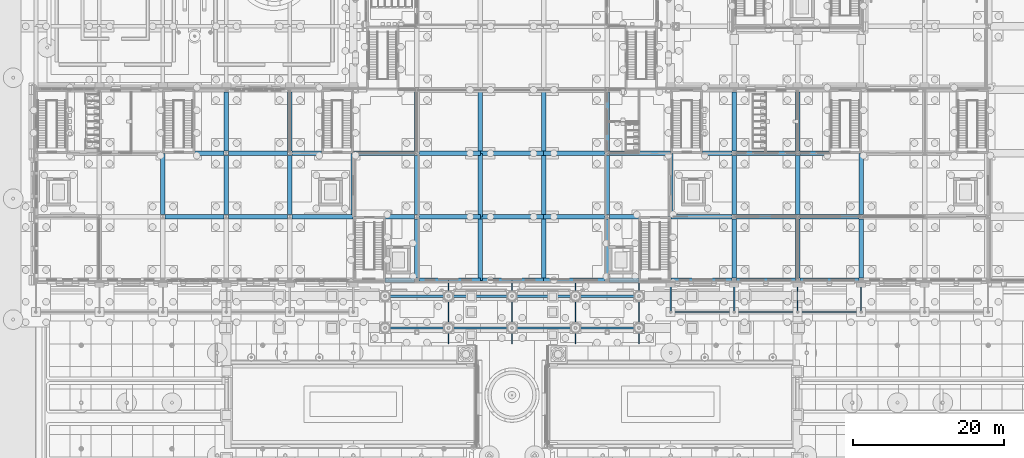
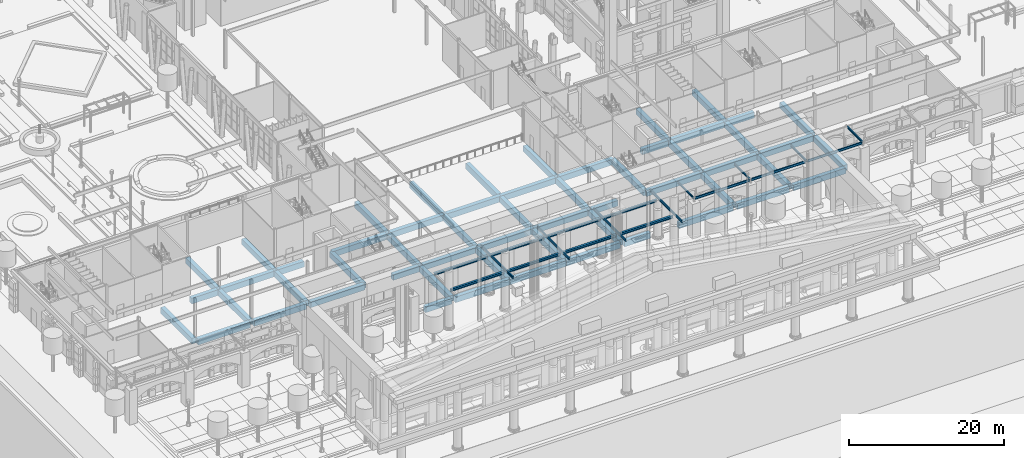
# One storey, part 41 of 222: 76 beams.
"""IFC4 building model written with IfcOpenShell, lengths in metres."""

from ifc_helpers import new_model, si_unit, direction, frame, origin, origin_2d, place, context, subcontext, project, spatial, rectangle, i_section, extrude, material, material_profile, profile_set, type_object, element, save


model = new_model("IFC4")

# Units and contexts
model_context = context("Model", 3, precision=1e-05, world=origin(), true_north=direction((0.0, 1.0)))
body_context = subcontext(model_context, "Body", "Model", "MODEL_VIEW")
ifc_project = project(units=[si_unit("LENGTHUNIT", "METRE"), si_unit("AREAUNIT", "SQUARE_METRE"), si_unit("VOLUMEUNIT", "CUBIC_METRE"), si_unit("PLANEANGLEUNIT", "RADIAN"), si_unit("MASSUNIT", "GRAM", prefix="KILO")], contexts=[model_context])

# Site, building, storey
site_placement = place(None, origin())
site = spatial("IfcSite", under=ifc_project, at=site_placement, CompositionType="ELEMENT")
building_placement = place(site_placement, origin())
building = spatial("IfcBuilding", under=site, at=building_placement, Name="Sava Quay Ferry Terminal", CompositionType="ELEMENT")
storey_placement = place(building_placement, origin())
storey = spatial("IfcBuildingStorey", under=building, at=storey_placement, Name="L00", CompositionType="ELEMENT", Elevation=0.0)

# Beams
ifc_material_1 = material(Name="Steel S355", Category="steel")
ifc_material_profile_1 = material_profile(ifc_material_1, i_section(OverallWidth=0.14990234375, OverallDepth=0.300048828125, WebThickness=0.007080078125, FlangeThickness=0.0107421875, at=origin_2d()), Name="IPE 300")
ifc_profile_set_1 = profile_set([ifc_material_profile_1], Name="Steel S355")
beam_type_1 = type_object("IfcBeamType", Name="Beam IPE 300", PredefinedType="BEAM", material=ifc_profile_set_1)
beam_1_placement = place(storey_placement, frame((84.0, 21.0, 5.85009765625), z_axis=(0.0, 1.0, 0.0), x_axis=(-1.0, 0.0, 0.0)))
element("IfcBeam", 1, at=beam_1_placement, inside=storey, type_object=beam_type_1, Name="Arcade roof beam", PredefinedType="BEAM", context=body_context, shape_type="SweptSolid", body=[
    extrude(i_section(OverallWidth=0.14990234375, OverallDepth=0.300048828125, WebThickness=0.007080078125, FlangeThickness=0.0107421875, at=origin_2d()), origin(), (0.0, 0.0, 1.0), 4.199951171875),
])
for number, where, z_axis, x_axis, name in (
    (2, (92.39990234375, 21.0, 5.85009765625), (0.0, 1.0, 0.0), (-1.0, 0.0, 0.0), "Arcade roof beam"),
    (3, (100.800048828125, 21.0, 5.85009765625), (0.0, 1.0, 0.0), (-1.0, 0.0, 0.0), "Arcade roof beam"),
    (4, (109.199951171875, 21.0, 5.85009765625), (0.0, 1.0, 0.0), (-1.0, 0.0, 0.0), "Arcade roof beam"),
):
    element("IfcBeam", number, at=place(storey_placement, frame(where, z_axis=z_axis, x_axis=x_axis)), inside=storey, type_object=beam_type_1, Name=name, PredefinedType="BEAM", context=body_context, shape_type="SweptSolid", body=[
        extrude(i_section(OverallWidth=0.14990234375, OverallDepth=0.300048828125, WebThickness=0.007080078125, FlangeThickness=0.0107421875, at=origin_2d()), origin(), (0.0, 0.0, 1.0), 4.050048828125),
    ])
ifc_material_2 = material(Name="Steel S355", Category="steel")
ifc_material_profile_2 = material_profile(ifc_material_2, i_section(OverallWidth=0.169921875, OverallDepth=0.360107421875, WebThickness=0.008056640625, FlangeThickness=0.0126953125, at=origin_2d()), Name="IPE 360")
ifc_profile_set_2 = profile_set([ifc_material_profile_2], Name="Steel S355")
beam_type_2 = type_object("IfcBeamType", Name="Beam IPE 360", PredefinedType="BEAM", material=ifc_profile_set_2)
for number, where, z_axis, x_axis, name in (
    (5, (54.60009765625, 16.800048828125, 6.179931640625), (0.0, 1.0, 0.0), (-1.0, 0.0, 0.0), "Canopy beam"),
    (6, (63.0, 16.800048828125, 6.179931640625), (0.0, 1.0, 0.0), (-1.0, 0.0, 0.0), "Canopy beam"),
    (7, (71.39990234375, 16.800048828125, 6.179931640625), (0.0, 1.0, 0.0), (-1.0, 0.0, 0.0), "Canopy beam"),
    (8, (79.800048828125, 16.800048828125, 6.179931640625), (0.0, 1.0, 0.0), (-1.0, 0.0, 0.0), "Canopy beam"),
):
    element("IfcBeam", number, at=place(storey_placement, frame(where, z_axis=z_axis, x_axis=x_axis)), inside=storey, type_object=beam_type_2, Name=name, PredefinedType="BEAM", context=body_context, shape_type="SweptSolid", body=[
        extrude(i_section(OverallWidth=0.169921875, OverallDepth=0.360107421875, WebThickness=0.008056640625, FlangeThickness=0.0126953125, at=origin_2d()), origin(), (0.0, 0.0, 1.0), 8.280029296875),
    ])
for number, where, z_axis, x_axis, name in (
    (9, (84.136474609375, 21.0, 5.820068359375), (1.0, 0.0, 0.0), (0.0, 1.0, 0.0), "Arcade edge beam"),
    (10, (92.53662109375, 21.0, 5.820068359375), (1.0, 0.0, 0.0), (0.0, 1.0, 0.0), "Arcade edge beam"),
    (11, (100.9365234375, 21.0, 5.820068359375), (1.0, 0.0, 0.0), (0.0, 1.0, 0.0), "Arcade edge beam"),
):
    element("IfcBeam", number, at=place(storey_placement, frame(where, z_axis=z_axis, x_axis=x_axis)), inside=storey, type_object=beam_type_2, Name=name, PredefinedType="BEAM", context=body_context, shape_type="SweptSolid", body=[
        extrude(i_section(OverallWidth=0.169921875, OverallDepth=0.360107421875, WebThickness=0.008056640625, FlangeThickness=0.0126953125, at=origin_2d()), origin(), (0.0, 0.0, 1.0), 8.126953125),
    ])
ifc_material_3 = material(Name="Steel S355", Category="steel")
ifc_material_profile_3 = material_profile(ifc_material_3, i_section(OverallWidth=0.300048828125, OverallDepth=0.389892578125, WebThickness=0.010986328125, FlangeThickness=0.01904296875, at=origin_2d()), Name="HE 400 A")
ifc_profile_set_3 = profile_set([ifc_material_profile_3], Name="Steel S355")
beam_type_3 = type_object("IfcBeamType", Name="Girder HE 400 A", PredefinedType="BEAM", material=ifc_profile_set_3)
for number, where, z_axis, x_axis, name in (
    (12, (46.3798828125, 18.89990234375, 5.804931640625), (1.0, 0.0, 0.0), (0.0, 1.0, 0.0), "Canopy girder"),
    (13, (54.780029296875, 18.89990234375, 5.804931640625), (1.0, 0.0, 0.0), (0.0, 1.0, 0.0), "Canopy girder"),
    (14, (63.179931640625, 18.89990234375, 5.804931640625), (1.0, 0.0, 0.0), (0.0, 1.0, 0.0), "Canopy girder"),
    (15, (71.580078125, 18.89990234375, 5.804931640625), (1.0, 0.0, 0.0), (0.0, 1.0, 0.0), "Canopy girder"),
    (16, (46.3798828125, 23.10009765625, 5.804931640625), (1.0, 0.0, 0.0), (0.0, 1.0, 0.0), "Canopy girder"),
    (17, (54.780029296875, 23.10009765625, 5.804931640625), (1.0, 0.0, 0.0), (0.0, 1.0, 0.0), "Canopy girder"),
    (18, (63.179931640625, 23.10009765625, 5.804931640625), (1.0, 0.0, 0.0), (0.0, 1.0, 0.0), "Canopy girder"),
    (19, (71.580078125, 23.10009765625, 5.804931640625), (1.0, 0.0, 0.0), (0.0, 1.0, 0.0), "Canopy girder"),
):
    element("IfcBeam", number, at=place(storey_placement, frame(where, z_axis=z_axis, x_axis=x_axis)), inside=storey, type_object=beam_type_3, Name=name, PredefinedType="BEAM", context=body_context, shape_type="SweptSolid", body=[
        extrude(i_section(OverallWidth=0.300048828125, OverallDepth=0.389892578125, WebThickness=0.010986328125, FlangeThickness=0.01904296875, at=origin_2d()), origin(), (0.0, 0.0, 1.0), 8.0400390625),
    ])
ifc_material_4 = material(Name="Concrete C40/50", Category="concrete")
ifc_material_profile_4 = material_profile(ifc_material_4, rectangle(XDim=0.60009765625, YDim=0.89990234375, at=origin_2d()), Name="RC 600x900")
ifc_profile_set_4 = profile_set([ifc_material_profile_4], Name="Concrete C40/50")
beam_type_4 = type_object("IfcBeamType", Name="RC deck beam 600x900", PredefinedType="BEAM", material=ifc_profile_set_4)
beam_2_placement = place(storey_placement, frame((46.219970703125, 25.199951171875, -0.89990234375), z_axis=(1.0, 0.0, 0.0), x_axis=(0.0, 1.0, 0.0)))
element("IfcBeam", 20, at=beam_2_placement, inside=storey, type_object=beam_type_4, Name="Deck beam X25.2-42", PredefinedType="BEAM", context=body_context, shape_type="SweptSolid", body=[
    extrude(rectangle(XDim=0.60009765625, YDim=0.89990234375, at=origin_2d()), origin(), (0.0, 0.0, 1.0), 3.880126953125),
])
beam_3_placement = place(storey_placement, frame((50.699951171875, 25.199951171875, -0.89990234375), z_axis=(1.0, 0.0, 0.0), x_axis=(0.0, 1.0, 0.0)))
element("IfcBeam", 21, at=beam_3_placement, inside=storey, type_object=beam_type_4, Name="Deck beam X25.2-50.4", PredefinedType="BEAM", context=body_context, shape_type="SweptSolid", body=[
    extrude(rectangle(XDim=0.60009765625, YDim=0.89990234375, at=origin_2d()), origin(), (0.0, 0.0, 1.0), 8.10009765625),
])
beam_4_placement = place(storey_placement, frame((58.800048828125, 25.199951171875, -0.89990234375), z_axis=(1.0, 0.0, 0.0), x_axis=(0.0, 1.0, 0.0)))
element("IfcBeam", 22, at=beam_4_placement, inside=storey, type_object=beam_type_4, Name="Deck beam X25.2-58.8", PredefinedType="BEAM", context=body_context, shape_type="SweptSolid", body=[
    extrude(rectangle(XDim=0.60009765625, YDim=0.89990234375, at=origin_2d()), origin(), (0.0, 0.0, 1.0), 8.39990234375),
])
beam_5_placement = place(storey_placement, frame((67.199951171875, 25.199951171875, -0.89990234375), z_axis=(1.0, 0.0, 0.0), x_axis=(0.0, 1.0, 0.0)))
element("IfcBeam", 23, at=beam_5_placement, inside=storey, type_object=beam_type_4, Name="Deck beam X25.2-67.2", PredefinedType="BEAM", context=body_context, shape_type="SweptSolid", body=[
    extrude(rectangle(XDim=0.60009765625, YDim=0.89990234375, at=origin_2d()), origin(), (0.0, 0.0, 1.0), 8.10009765625),
])
beam_6_placement = place(storey_placement, frame((75.89990234375, 25.199951171875, -0.89990234375), z_axis=(1.0, 0.0, 0.0), x_axis=(0.0, 1.0, 0.0)))
element("IfcBeam", 24, at=beam_6_placement, inside=storey, type_object=beam_type_4, Name="Deck beam X25.2-75.6", PredefinedType="BEAM", context=body_context, shape_type="SweptSolid", body=[
    extrude(rectangle(XDim=0.60009765625, YDim=0.89990234375, at=origin_2d()), origin(), (0.0, 0.0, 1.0), 3.880126953125),
])
beam_7_placement = place(storey_placement, frame((84.02001953125, 25.199951171875, -0.89990234375), z_axis=(1.0, 0.0, 0.0), x_axis=(0.0, 1.0, 0.0)))
element("IfcBeam", 25, at=beam_7_placement, inside=storey, type_object=beam_type_4, Name="Deck beam X25.2-84", PredefinedType="BEAM", context=body_context, shape_type="SweptSolid", body=[
    extrude(rectangle(XDim=0.60009765625, YDim=0.89990234375, at=origin_2d()), origin(), (0.0, 0.0, 1.0), 8.080078125),
])
beam_8_placement = place(storey_placement, frame((92.699951171875, 25.199951171875, -0.89990234375), z_axis=(1.0, 0.0, 0.0), x_axis=(0.0, 1.0, 0.0)))
element("IfcBeam", 26, at=beam_8_placement, inside=storey, type_object=beam_type_4, Name="Deck beam X25.2-92.4", PredefinedType="BEAM", context=body_context, shape_type="SweptSolid", body=[
    extrude(rectangle(XDim=0.60009765625, YDim=0.89990234375, at=origin_2d()), origin(), (0.0, 0.0, 1.0), 7.800048828125),
])
for number, where, z_axis, x_axis, name in (
    (27, (101.10009765625, 25.199951171875, -0.89990234375), (1.0, 0.0, 0.0), (0.0, 1.0, 0.0), "Deck beam X25.2-100.8"),
    (28, (17.10009765625, 33.60009765625, -0.89990234375), (1.0, 0.0, 0.0), (0.0, 1.0, 0.0), "Deck beam X33.6-16.8"),
):
    element("IfcBeam", number, at=place(storey_placement, frame(where, z_axis=z_axis, x_axis=x_axis)), inside=storey, type_object=beam_type_4, Name=name, PredefinedType="BEAM", context=body_context, shape_type="SweptSolid", body=[
        extrude(rectangle(XDim=0.60009765625, YDim=0.89990234375, at=origin_2d()), origin(), (0.0, 0.0, 1.0), 7.7998046875),
    ])
beam_9_placement = place(storey_placement, frame((25.5, 33.60009765625, -0.89990234375), z_axis=(1.0, 0.0, 0.0), x_axis=(0.0, 1.0, 0.0)))
element("IfcBeam", 29, at=beam_9_placement, inside=storey, type_object=beam_type_4, Name="Deck beam X33.6-25.2", PredefinedType="BEAM", context=body_context, shape_type="SweptSolid", body=[
    extrude(rectangle(XDim=0.60009765625, YDim=0.89990234375, at=origin_2d()), origin(), (0.0, 0.0, 1.0), 7.800048828125),
])
beam_10_placement = place(storey_placement, frame((33.89990234375, 33.60009765625, -0.89990234375), z_axis=(1.0, 0.0, 0.0), x_axis=(0.0, 1.0, 0.0)))
element("IfcBeam", 30, at=beam_10_placement, inside=storey, type_object=beam_type_4, Name="Deck beam X33.6-33.6", PredefinedType="BEAM", context=body_context, shape_type="SweptSolid", body=[
    extrude(rectangle(XDim=0.60009765625, YDim=0.89990234375, at=origin_2d()), origin(), (0.0, 0.0, 1.0), 8.080078125),
])
beam_11_placement = place(storey_placement, frame((46.219970703125, 33.60009765625, -0.89990234375), z_axis=(1.0, 0.0, 0.0), x_axis=(0.0, 1.0, 0.0)))
element("IfcBeam", 31, at=beam_11_placement, inside=storey, type_object=beam_type_4, Name="Deck beam X33.6-42", PredefinedType="BEAM", context=body_context, shape_type="SweptSolid", body=[
    extrude(rectangle(XDim=0.60009765625, YDim=0.89990234375, at=origin_2d()), origin(), (0.0, 0.0, 1.0), 3.880126953125),
])
beam_12_placement = place(storey_placement, frame((50.699951171875, 33.60009765625, -0.89990234375), z_axis=(1.0, 0.0, 0.0), x_axis=(0.0, 1.0, 0.0)))
element("IfcBeam", 32, at=beam_12_placement, inside=storey, type_object=beam_type_4, Name="Deck beam X33.6-50.4", PredefinedType="BEAM", context=body_context, shape_type="SweptSolid", body=[
    extrude(rectangle(XDim=0.60009765625, YDim=0.89990234375, at=origin_2d()), origin(), (0.0, 0.0, 1.0), 8.10009765625),
])
beam_13_placement = place(storey_placement, frame((58.800048828125, 33.60009765625, -0.89990234375), z_axis=(1.0, 0.0, 0.0), x_axis=(0.0, 1.0, 0.0)))
element("IfcBeam", 33, at=beam_13_placement, inside=storey, type_object=beam_type_4, Name="Deck beam X33.6-58.8", PredefinedType="BEAM", context=body_context, shape_type="SweptSolid", body=[
    extrude(rectangle(XDim=0.60009765625, YDim=0.89990234375, at=origin_2d()), origin(), (0.0, 0.0, 1.0), 8.39990234375),
])
beam_14_placement = place(storey_placement, frame((67.199951171875, 33.60009765625, -0.89990234375), z_axis=(1.0, 0.0, 0.0), x_axis=(0.0, 1.0, 0.0)))
element("IfcBeam", 34, at=beam_14_placement, inside=storey, type_object=beam_type_4, Name="Deck beam X33.6-67.2", PredefinedType="BEAM", context=body_context, shape_type="SweptSolid", body=[
    extrude(rectangle(XDim=0.60009765625, YDim=0.89990234375, at=origin_2d()), origin(), (0.0, 0.0, 1.0), 8.10009765625),
])
beam_15_placement = place(storey_placement, frame((75.89990234375, 33.60009765625, -0.89990234375), z_axis=(1.0, 0.0, 0.0), x_axis=(0.0, 1.0, 0.0)))
element("IfcBeam", 35, at=beam_15_placement, inside=storey, type_object=beam_type_4, Name="Deck beam X33.6-75.6", PredefinedType="BEAM", context=body_context, shape_type="SweptSolid", body=[
    extrude(rectangle(XDim=0.60009765625, YDim=0.89990234375, at=origin_2d()), origin(), (0.0, 0.0, 1.0), 3.880126953125),
])
beam_16_placement = place(storey_placement, frame((84.02001953125, 33.60009765625, -0.89990234375), z_axis=(1.0, 0.0, 0.0), x_axis=(0.0, 1.0, 0.0)))
element("IfcBeam", 36, at=beam_16_placement, inside=storey, type_object=beam_type_4, Name="Deck beam X33.6-84", PredefinedType="BEAM", context=body_context, shape_type="SweptSolid", body=[
    extrude(rectangle(XDim=0.60009765625, YDim=0.89990234375, at=origin_2d()), origin(), (0.0, 0.0, 1.0), 8.080078125),
])
beam_17_placement = place(storey_placement, frame((92.699951171875, 33.60009765625, -0.89990234375), z_axis=(1.0, 0.0, 0.0), x_axis=(0.0, 1.0, 0.0)))
element("IfcBeam", 37, at=beam_17_placement, inside=storey, type_object=beam_type_4, Name="Deck beam X33.6-92.4", PredefinedType="BEAM", context=body_context, shape_type="SweptSolid", body=[
    extrude(rectangle(XDim=0.60009765625, YDim=0.89990234375, at=origin_2d()), origin(), (0.0, 0.0, 1.0), 7.800048828125),
])
beam_18_placement = place(storey_placement, frame((101.10009765625, 33.60009765625, -0.89990234375), z_axis=(1.0, 0.0, 0.0), x_axis=(0.0, 1.0, 0.0)))
element("IfcBeam", 38, at=beam_18_placement, inside=storey, type_object=beam_type_4, Name="Deck beam X33.6-100.8", PredefinedType="BEAM", context=body_context, shape_type="SweptSolid", body=[
    extrude(rectangle(XDim=0.60009765625, YDim=0.89990234375, at=origin_2d()), origin(), (0.0, 0.0, 1.0), 7.7998046875),
])
beam_19_placement = place(storey_placement, frame((21.02001953125, 42.0, -0.89990234375), z_axis=(1.0, 0.0, 0.0), x_axis=(0.0, 1.0, 0.0)))
element("IfcBeam", 39, at=beam_19_placement, inside=storey, type_object=beam_type_4, Name="Deck beam X42-16.8", PredefinedType="BEAM", context=body_context, shape_type="SweptSolid", body=[
    extrude(rectangle(XDim=0.60009765625, YDim=0.89990234375, at=origin_2d()), origin(), (0.0, 0.0, 1.0), 3.8798828125),
])
beam_20_placement = place(storey_placement, frame((25.5, 42.0, -0.89990234375), z_axis=(1.0, 0.0, 0.0), x_axis=(0.0, 1.0, 0.0)))
element("IfcBeam", 40, at=beam_20_placement, inside=storey, type_object=beam_type_4, Name="Deck beam X42-25.2", PredefinedType="BEAM", context=body_context, shape_type="SweptSolid", body=[
    extrude(rectangle(XDim=0.60009765625, YDim=0.89990234375, at=origin_2d()), origin(), (0.0, 0.0, 1.0), 7.800048828125),
])
beam_21_placement = place(storey_placement, frame((33.89990234375, 42.0, -0.89990234375), z_axis=(1.0, 0.0, 0.0), x_axis=(0.0, 1.0, 0.0)))
element("IfcBeam", 41, at=beam_21_placement, inside=storey, type_object=beam_type_4, Name="Deck beam X42-33.6", PredefinedType="BEAM", context=body_context, shape_type="SweptSolid", body=[
    extrude(rectangle(XDim=0.60009765625, YDim=0.89990234375, at=origin_2d()), origin(), (0.0, 0.0, 1.0), 3.880126953125),
])
beam_22_placement = place(storey_placement, frame((42.02001953125, 42.0, -0.89990234375), z_axis=(1.0, 0.0, 0.0), x_axis=(0.0, 1.0, 0.0)))
element("IfcBeam", 42, at=beam_22_placement, inside=storey, type_object=beam_type_4, Name="Deck beam X42-42", PredefinedType="BEAM", context=body_context, shape_type="SweptSolid", body=[
    extrude(rectangle(XDim=0.60009765625, YDim=0.89990234375, at=origin_2d()), origin(), (0.0, 0.0, 1.0), 8.080078125),
])
beam_23_placement = place(storey_placement, frame((50.699951171875, 42.0, -0.89990234375), z_axis=(1.0, 0.0, 0.0), x_axis=(0.0, 1.0, 0.0)))
element("IfcBeam", 43, at=beam_23_placement, inside=storey, type_object=beam_type_4, Name="Deck beam X42-50.4", PredefinedType="BEAM", context=body_context, shape_type="SweptSolid", body=[
    extrude(rectangle(XDim=0.60009765625, YDim=0.89990234375, at=origin_2d()), origin(), (0.0, 0.0, 1.0), 8.10009765625),
])
beam_24_placement = place(storey_placement, frame((58.800048828125, 42.0, -0.89990234375), z_axis=(1.0, 0.0, 0.0), x_axis=(0.0, 1.0, 0.0)))
element("IfcBeam", 44, at=beam_24_placement, inside=storey, type_object=beam_type_4, Name="Deck beam X42-58.8", PredefinedType="BEAM", context=body_context, shape_type="SweptSolid", body=[
    extrude(rectangle(XDim=0.60009765625, YDim=0.89990234375, at=origin_2d()), origin(), (0.0, 0.0, 1.0), 8.39990234375),
])
beam_25_placement = place(storey_placement, frame((67.199951171875, 42.0, -0.89990234375), z_axis=(1.0, 0.0, 0.0), x_axis=(0.0, 1.0, 0.0)))
element("IfcBeam", 45, at=beam_25_placement, inside=storey, type_object=beam_type_4, Name="Deck beam X42-67.2", PredefinedType="BEAM", context=body_context, shape_type="SweptSolid", body=[
    extrude(rectangle(XDim=0.60009765625, YDim=0.89990234375, at=origin_2d()), origin(), (0.0, 0.0, 1.0), 8.10009765625),
])
beam_26_placement = place(storey_placement, frame((75.89990234375, 42.0, -0.89990234375), z_axis=(1.0, 0.0, 0.0), x_axis=(0.0, 1.0, 0.0)))
element("IfcBeam", 46, at=beam_26_placement, inside=storey, type_object=beam_type_4, Name="Deck beam X42-75.6", PredefinedType="BEAM", context=body_context, shape_type="SweptSolid", body=[
    extrude(rectangle(XDim=0.60009765625, YDim=0.89990234375, at=origin_2d()), origin(), (0.0, 0.0, 1.0), 8.080078125),
])
beam_27_placement = place(storey_placement, frame((88.219970703125, 42.0, -0.89990234375), z_axis=(1.0, 0.0, 0.0), x_axis=(0.0, 1.0, 0.0)))
element("IfcBeam", 47, at=beam_27_placement, inside=storey, type_object=beam_type_4, Name="Deck beam X42-84", PredefinedType="BEAM", context=body_context, shape_type="SweptSolid", body=[
    extrude(rectangle(XDim=0.60009765625, YDim=0.89990234375, at=origin_2d()), origin(), (0.0, 0.0, 1.0), 3.880126953125),
])
beam_28_placement = place(storey_placement, frame((92.699951171875, 42.0, -0.89990234375), z_axis=(1.0, 0.0, 0.0), x_axis=(0.0, 1.0, 0.0)))
element("IfcBeam", 48, at=beam_28_placement, inside=storey, type_object=beam_type_4, Name="Deck beam X42-92.4", PredefinedType="BEAM", context=body_context, shape_type="SweptSolid", body=[
    extrude(rectangle(XDim=0.60009765625, YDim=0.89990234375, at=origin_2d()), origin(), (0.0, 0.0, 1.0), 7.800048828125),
])
beam_29_placement = place(storey_placement, frame((101.10009765625, 42.0, -0.89990234375), z_axis=(1.0, 0.0, 0.0), x_axis=(0.0, 1.0, 0.0)))
element("IfcBeam", 49, at=beam_29_placement, inside=storey, type_object=beam_type_4, Name="Deck beam X42-100.8", PredefinedType="BEAM", context=body_context, shape_type="SweptSolid", body=[
    extrude(rectangle(XDim=0.60009765625, YDim=0.89990234375, at=origin_2d()), origin(), (0.0, 0.0, 1.0), 3.8798828125),
])
beam_30_placement = place(storey_placement, frame((16.800048828125, 33.89990234375, -0.89990234375), z_axis=(0.0, 1.0, 0.0), x_axis=(-1.0, 0.0, 0.0)))
element("IfcBeam", 50, at=beam_30_placement, inside=storey, type_object=beam_type_4, Name="Deck beam Y16.8-33.6", PredefinedType="BEAM", context=body_context, shape_type="SweptSolid", body=[
    extrude(rectangle(XDim=0.60009765625, YDim=0.89990234375, at=origin_2d()), origin(), (0.0, 0.0, 1.0), 8.080078125),
])
for number, where, z_axis, x_axis, name in (
    (51, (25.199951171875, 33.89990234375, -0.89990234375), (0.0, 1.0, 0.0), (-1.0, 0.0, 0.0), "Deck beam Y25.2-33.6"),
    (52, (25.199951171875, 42.300048828125, -0.89990234375), (0.0, 1.0, 0.0), (-1.0, 0.0, 0.0), "Deck beam Y25.2-42"),
    (53, (33.60009765625, 33.89990234375, -0.89990234375), (0.0, 1.0, 0.0), (-1.0, 0.0, 0.0), "Deck beam Y33.6-33.6"),
    (54, (33.60009765625, 42.300048828125, -0.89990234375), (0.0, 1.0, 0.0), (-1.0, 0.0, 0.0), "Deck beam Y33.6-42"),
):
    element("IfcBeam", number, at=place(storey_placement, frame(where, z_axis=z_axis, x_axis=x_axis)), inside=storey, type_object=beam_type_4, Name=name, PredefinedType="BEAM", context=body_context, shape_type="SweptSolid", body=[
        extrude(rectangle(XDim=0.60009765625, YDim=0.89990234375, at=origin_2d()), origin(), (0.0, 0.0, 1.0), 7.800048828125),
    ])
beam_31_placement = place(storey_placement, frame((42.0, 33.6201171875, -0.89990234375), z_axis=(0.0, 1.0, 0.0), x_axis=(-1.0, 0.0, 0.0)))
element("IfcBeam", 55, at=beam_31_placement, inside=storey, type_object=beam_type_4, Name="Deck beam Y42-33.6", PredefinedType="BEAM", context=body_context, shape_type="SweptSolid", body=[
    extrude(rectangle(XDim=0.60009765625, YDim=0.89990234375, at=origin_2d()), origin(), (0.0, 0.0, 1.0), 8.35986328125),
])
for number, where, z_axis, x_axis, name in (
    (56, (50.39990234375, 25.5, -0.89990234375), (0.0, 1.0, 0.0), (-1.0, 0.0, 0.0), "Deck beam Y50.4-25.2"),
    (57, (50.39990234375, 33.89990234375, -0.89990234375), (0.0, 1.0, 0.0), (-1.0, 0.0, 0.0), "Deck beam Y50.4-33.6"),
    (58, (50.39990234375, 42.300048828125, -0.89990234375), (0.0, 1.0, 0.0), (-1.0, 0.0, 0.0), "Deck beam Y50.4-42"),
):
    element("IfcBeam", number, at=place(storey_placement, frame(where, z_axis=z_axis, x_axis=x_axis)), inside=storey, type_object=beam_type_4, Name=name, PredefinedType="BEAM", context=body_context, shape_type="SweptSolid", body=[
        extrude(rectangle(XDim=0.60009765625, YDim=0.89990234375, at=origin_2d()), origin(), (0.0, 0.0, 1.0), 7.800048828125),
    ])
beam_32_placement = place(storey_placement, frame((58.800048828125, 25.199951171875, -0.89990234375), z_axis=(0.0, 1.0, 0.0), x_axis=(-1.0, 0.0, 0.0)))
element("IfcBeam", 59, at=beam_32_placement, inside=storey, type_object=beam_type_4, Name="Deck beam Y58.8-25.2", PredefinedType="BEAM", context=body_context, shape_type="SweptSolid", body=[
    extrude(rectangle(XDim=0.60009765625, YDim=0.89990234375, at=origin_2d()), origin(), (0.0, 0.0, 1.0), 8.400146484375),
])
for number, where, z_axis, x_axis, name in (
    (60, (58.800048828125, 33.60009765625, -0.89990234375), (0.0, 1.0, 0.0), (-1.0, 0.0, 0.0), "Deck beam Y58.8-33.6"),
    (61, (58.800048828125, 42.0, -0.89990234375), (0.0, 1.0, 0.0), (-1.0, 0.0, 0.0), "Deck beam Y58.8-42"),
):
    element("IfcBeam", number, at=place(storey_placement, frame(where, z_axis=z_axis, x_axis=x_axis)), inside=storey, type_object=beam_type_4, Name=name, PredefinedType="BEAM", context=body_context, shape_type="SweptSolid", body=[
        extrude(rectangle(XDim=0.60009765625, YDim=0.89990234375, at=origin_2d()), origin(), (0.0, 0.0, 1.0), 8.39990234375),
    ])
beam_33_placement = place(storey_placement, frame((67.199951171875, 25.199951171875, -0.89990234375), z_axis=(0.0, 1.0, 0.0), x_axis=(-1.0, 0.0, 0.0)))
element("IfcBeam", 62, at=beam_33_placement, inside=storey, type_object=beam_type_4, Name="Deck beam Y67.2-25.2", PredefinedType="BEAM", context=body_context, shape_type="SweptSolid", body=[
    extrude(rectangle(XDim=0.60009765625, YDim=0.89990234375, at=origin_2d()), origin(), (0.0, 0.0, 1.0), 8.400146484375),
])
for number, where, z_axis, x_axis, name in (
    (63, (67.199951171875, 33.60009765625, -0.89990234375), (0.0, 1.0, 0.0), (-1.0, 0.0, 0.0), "Deck beam Y67.2-33.6"),
    (64, (67.199951171875, 42.0, -0.89990234375), (0.0, 1.0, 0.0), (-1.0, 0.0, 0.0), "Deck beam Y67.2-42"),
):
    element("IfcBeam", number, at=place(storey_placement, frame(where, z_axis=z_axis, x_axis=x_axis)), inside=storey, type_object=beam_type_4, Name=name, PredefinedType="BEAM", context=body_context, shape_type="SweptSolid", body=[
        extrude(rectangle(XDim=0.60009765625, YDim=0.89990234375, at=origin_2d()), origin(), (0.0, 0.0, 1.0), 8.39990234375),
    ])
for number, where, z_axis, x_axis, name in (
    (65, (75.60009765625, 25.5, -0.89990234375), (0.0, 1.0, 0.0), (-1.0, 0.0, 0.0), "Deck beam Y75.6-25.2"),
    (66, (75.60009765625, 33.89990234375, -0.89990234375), (0.0, 1.0, 0.0), (-1.0, 0.0, 0.0), "Deck beam Y75.6-33.6"),
    (67, (75.60009765625, 42.300048828125, -0.89990234375), (0.0, 1.0, 0.0), (-1.0, 0.0, 0.0), "Deck beam Y75.6-42"),
):
    element("IfcBeam", number, at=place(storey_placement, frame(where, z_axis=z_axis, x_axis=x_axis)), inside=storey, type_object=beam_type_4, Name=name, PredefinedType="BEAM", context=body_context, shape_type="SweptSolid", body=[
        extrude(rectangle(XDim=0.60009765625, YDim=0.89990234375, at=origin_2d()), origin(), (0.0, 0.0, 1.0), 7.800048828125),
    ])
beam_34_placement = place(storey_placement, frame((84.0, 33.6201171875, -0.89990234375), z_axis=(0.0, 1.0, 0.0), x_axis=(-1.0, 0.0, 0.0)))
element("IfcBeam", 68, at=beam_34_placement, inside=storey, type_object=beam_type_4, Name="Deck beam Y84-33.6", PredefinedType="BEAM", context=body_context, shape_type="SweptSolid", body=[
    extrude(rectangle(XDim=0.60009765625, YDim=0.89990234375, at=origin_2d()), origin(), (0.0, 0.0, 1.0), 8.35986328125),
])
for number, where, z_axis, x_axis, name in (
    (69, (92.39990234375, 25.5, -0.89990234375), (0.0, 1.0, 0.0), (-1.0, 0.0, 0.0), "Deck beam Y92.4-25.2"),
    (70, (92.39990234375, 33.89990234375, -0.89990234375), (0.0, 1.0, 0.0), (-1.0, 0.0, 0.0), "Deck beam Y92.4-33.6"),
    (71, (92.39990234375, 42.300048828125, -0.89990234375), (0.0, 1.0, 0.0), (-1.0, 0.0, 0.0), "Deck beam Y92.4-42"),
    (72, (100.800048828125, 25.5, -0.89990234375), (0.0, 1.0, 0.0), (-1.0, 0.0, 0.0), "Deck beam Y100.8-25.2"),
    (73, (100.800048828125, 33.89990234375, -0.89990234375), (0.0, 1.0, 0.0), (-1.0, 0.0, 0.0), "Deck beam Y100.8-33.6"),
    (74, (100.800048828125, 42.300048828125, -0.89990234375), (0.0, 1.0, 0.0), (-1.0, 0.0, 0.0), "Deck beam Y100.8-42"),
    (75, (109.199951171875, 25.5, -0.89990234375), (0.0, 1.0, 0.0), (-1.0, 0.0, 0.0), "Deck beam Y109.2-25.2"),
):
    element("IfcBeam", number, at=place(storey_placement, frame(where, z_axis=z_axis, x_axis=x_axis)), inside=storey, type_object=beam_type_4, Name=name, PredefinedType="BEAM", context=body_context, shape_type="SweptSolid", body=[
        extrude(rectangle(XDim=0.60009765625, YDim=0.89990234375, at=origin_2d()), origin(), (0.0, 0.0, 1.0), 7.800048828125),
    ])
beam_35_placement = place(storey_placement, frame((109.199951171875, 33.89990234375, -0.89990234375), z_axis=(0.0, 1.0, 0.0), x_axis=(-1.0, 0.0, 0.0)))
element("IfcBeam", 76, at=beam_35_placement, inside=storey, type_object=beam_type_4, Name="Deck beam Y109.2-33.6", PredefinedType="BEAM", context=body_context, shape_type="SweptSolid", body=[
    extrude(rectangle(XDim=0.60009765625, YDim=0.89990234375, at=origin_2d()), origin(), (0.0, 0.0, 1.0), 8.080078125),
])

save(model, "model.ifc")
